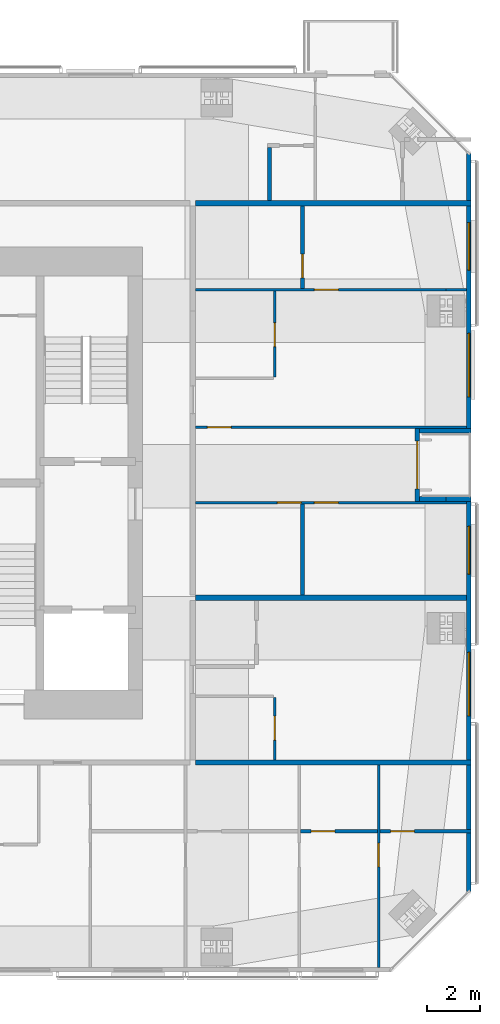
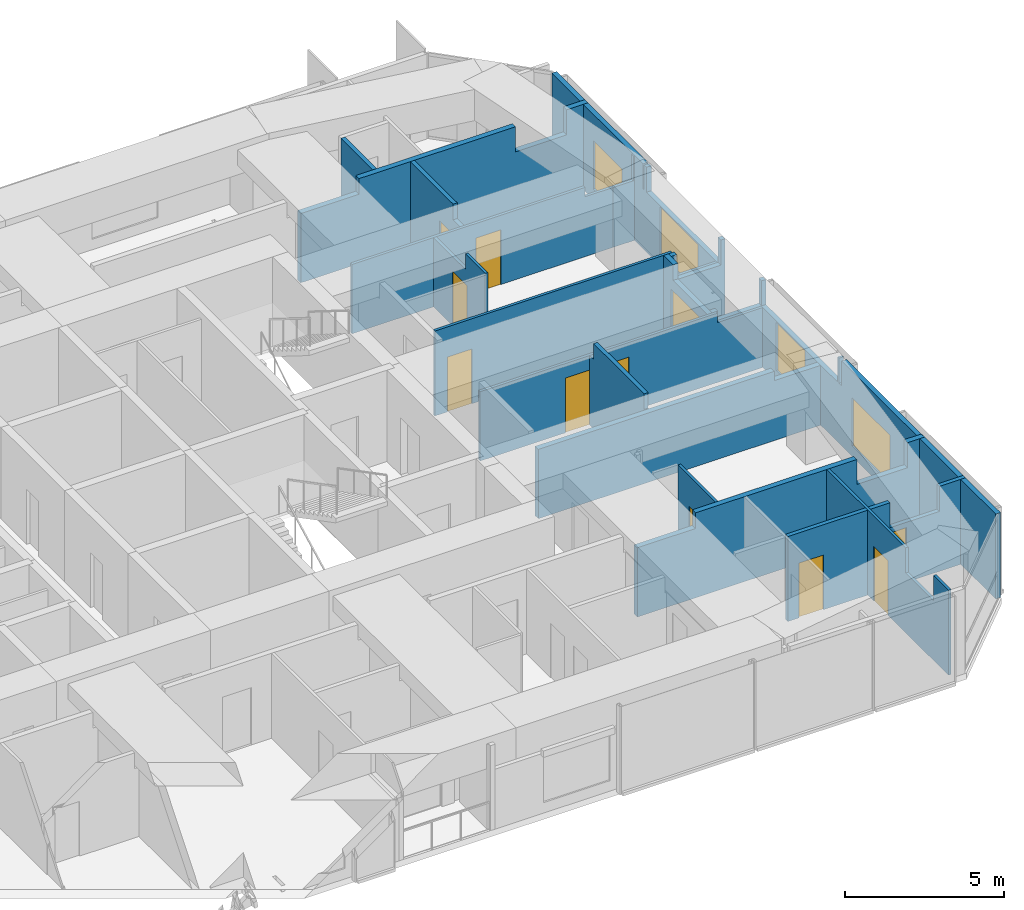
# One storey, part 18 of 20: 21 walls, 11 doors, 4 windows, 15 openings.
"""IFC4 building model written with IfcOpenShell, lengths in metres."""

from ifc_helpers import new_model, si_unit, direction, frame, frame_2d, origin, place, context, subcontext, project, spatial, polyline, rectangle, outline, extrude, material, constituent, constituent_set, type_object, element, fill, save


model = new_model("IFC4")

# Units and contexts
model_context = context("Model", 3, precision=1e-05, world=origin(), true_north=direction((0.0, 1.0)))
body_context = subcontext(model_context, "Body", "Model", "MODEL_VIEW")
ifc_project = project(units=[si_unit("LENGTHUNIT", "METRE"), si_unit("AREAUNIT", "SQUARE_METRE"), si_unit("VOLUMEUNIT", "CUBIC_METRE"), si_unit("PLANEANGLEUNIT", "RADIAN"), si_unit("MASSUNIT", "GRAM", prefix="KILO")], contexts=[model_context])

# Site, building, storey
site_placement = place(None, origin())
site = spatial("IfcSite", under=ifc_project, at=site_placement, CompositionType="ELEMENT")
building_placement = place(site_placement, origin())
building = spatial("IfcBuilding", under=site, at=building_placement, Name="Jalousie Tower", CompositionType="ELEMENT")
storey_placement = place(building_placement, frame((0.0, 0.0, 238.949951171875)))
storey = spatial("IfcBuildingStorey", under=building, at=storey_placement, Name="L65", CompositionType="ELEMENT", Elevation=238.949951171875)

# Wall, opening, door
ifc_material_1 = material(Name="Concrete block ASTM C90", Category="concrete")
ifc_constituent_1 = constituent(ifc_material_1, Name="Body")
ifc_material_2 = material(Name="Render")
ifc_constituent_2 = constituent(ifc_material_2, Name="Finish")
ifc_constituent_set_1 = constituent_set(constituents=[ifc_constituent_1, ifc_constituent_2])
wall_type_1 = type_object("IfcWallType", Name="BATHROOM WALL 150", PredefinedType="PLUMBINGWALL", material=ifc_constituent_set_1)
wall_1_placement = place(storey_placement, frame((50.050048828125, 5.324951171875, 0.0), z_axis=(0.0, 0.0, 1.0), x_axis=(1.0, 0.0, 0.0)))
wall_1 = element("IfcWall", 1, at=wall_1_placement, inside=storey, type_object=wall_type_1, Name="Bathroom Wall 150 L65", PredefinedType="PLUMBINGWALL", context=body_context, shape_type="SweptSolid", body=[
    extrude(rectangle(XDim=2.89990234375, YDim=0.14990234375, at=frame_2d((1.449951171875, 0.0))), origin(), (0.0, 0.0, 1.0), 3.260009765625),
])
opening_1_placement = place(wall_1_placement, frame((0.39990234375, 0.0, 0.0)))
opening_1 = element("IfcOpeningElement", 2, at=opening_1_placement, cuts=wall_1, Name="Opening D3", PredefinedType="OPENING", context=body_context, shape_type="SweptSolid", body=[
    extrude(rectangle(XDim=0.89990234375, YDim=2.10009765625, at=frame_2d((0.449951171875, 1.050048828125))), frame((0.0, 0.0849609375, 0.0), z_axis=(0.0, -1.0, 0.0), x_axis=(1.0, 0.0, 0.0)), (0.0, 0.0, 1.0), 0.169921875),
])
ifc_material_3 = material(Name="Timber door", Category="wood")
door_type_1 = type_object("IfcDoorType", Name="BATHROOM DOOR 900", OperationType="SINGLE_SWING_LEFT", PredefinedType="DOOR", material=ifc_material_3)
door_1_placement = place(opening_1_placement, origin())
door_1 = element("IfcDoor", 3, at=door_1_placement, inside=storey, type_object=door_type_1, Name="Apartment 6503 bedroom 3 bathroom door", OperationType="SINGLE_SWING_LEFT", OverallHeight=2.10009765625, OverallWidth=0.89990234375, PredefinedType="DOOR", context=body_context, shape_type="SweptSolid", body=[
    extrude(rectangle(XDim=0.89990234375, YDim=2.10009765625, at=frame_2d((0.449951171875, 1.050048828125))), frame((0.0, 0.02490234375, 0.0), z_axis=(0.0, -1.0, 0.0), x_axis=(1.0, 0.0, 0.0)), (0.0, 0.0, 1.0), 0.050048828125),
])
fill(opening_1, door_1)

wall_2_placement = place(storey_placement, frame((53.050048828125, 5.324951171875, 0.0), z_axis=(0.0, 0.0, 1.0), x_axis=(1.0, 0.0, 0.0)))
wall_2 = element("IfcWall", 4, at=wall_2_placement, inside=storey, type_object=wall_type_1, Name="Bathroom Wall 150 L65", PredefinedType="PLUMBINGWALL", context=body_context, shape_type="SweptSolid", body=[
    extrude(outline(polyline([(0.0, 0.0), (3.449951171875, 0.0), (3.449951171875, 3.260009765625), (2.4970703125, 3.260009765625), (2.4970703125, 2.300048828125), (0.715087890625, 2.300048828125), (0.715087890625, 3.260009765625), (0.0, 3.260009765625), (0.0, 0.0)])), frame((0.0, 0.074951171875, 0.0), z_axis=(0.0, -1.0, 0.0), x_axis=(1.0, 0.0, 0.0)), (0.0, 0.0, 1.0), 0.14990234375),
])
opening_2_placement = place(wall_2_placement, frame((0.39990234375, 0.0, 0.0)))
opening_2 = element("IfcOpeningElement", 5, at=opening_2_placement, cuts=wall_2, Name="Opening D3", PredefinedType="OPENING", context=body_context, shape_type="SweptSolid", body=[
    extrude(rectangle(XDim=0.89990234375, YDim=2.10009765625, at=frame_2d((0.449951171875, 1.050048828125))), frame((0.0, 0.0849609375, 0.0), z_axis=(0.0, -1.0, 0.0), x_axis=(1.0, 0.0, 0.0)), (0.0, 0.0, 1.0), 0.169921875),
])
door_2_placement = place(opening_2_placement, origin())
door_2 = element("IfcDoor", 6, at=door_2_placement, inside=storey, type_object=door_type_1, Name="Apartment 6503 bedroom 4 bathroom door", OperationType="SINGLE_SWING_LEFT", OverallHeight=2.10009765625, OverallWidth=0.89990234375, PredefinedType="DOOR", context=body_context, shape_type="SweptSolid", body=[
    extrude(rectangle(XDim=0.89990234375, YDim=2.10009765625, at=frame_2d((0.449951171875, 1.050048828125))), frame((0.0, 0.02490234375, 0.0), z_axis=(0.0, -1.0, 0.0), x_axis=(1.0, 0.0, 0.0)), (0.0, 0.0, 1.0), 0.050048828125),
])
fill(opening_2, door_2)

# Wall
wall_3_placement = place(storey_placement, frame((50.125, 14.25, 0.0), z_axis=(0.0, 0.0, 1.0), x_axis=(0.0, 1.0, 0.0)))
element("IfcWall", 7, at=wall_3_placement, inside=storey, type_object=wall_type_1, Name="Bathroom Wall 150 L65", PredefinedType="PLUMBINGWALL", context=body_context, shape_type="SweptSolid", body=[
    extrude(outline(polyline([(0.0, 0.0), (3.449951171875, 0.0), (3.449951171875, 3.260009765625), (3.449951171875, 2.66015625), (3.215087890625, 2.66015625), (3.215087890625, 3.260009765625), (0.034912109375, 3.260009765625), (0.034912109375, 2.66015625), (0.0, 2.66015625), (0.0, 3.260009765625), (0.0, 0.0)])), frame((0.0, 0.074951171875, 0.0), z_axis=(0.0, -1.0, 0.0), x_axis=(1.0, 0.0, 0.0)), (0.0, 0.0, 1.0), 0.14990234375),
])

# Wall, opening, door
wall_4_placement = place(storey_placement, frame((50.125, 25.85009765625, 0.0), z_axis=(0.0, 0.0, 1.0), x_axis=(0.0, 1.0, 0.0)))
wall_4 = element("IfcWall", 8, at=wall_4_placement, inside=storey, type_object=wall_type_1, Name="Bathroom Wall 150 L65", PredefinedType="PLUMBINGWALL", context=body_context, shape_type="SweptSolid", body=[
    extrude(outline(polyline([(0.0, 0.0), (3.125, 0.0), (3.125, 3.260009765625), (0.43505859375, 3.260009765625), (0.43505859375, 2.66015625), (0.0, 2.66015625), (0.0, 3.260009765625), (0.0, 0.0)])), frame((0.0, 0.074951171875, 0.0), z_axis=(0.0, -1.0, 0.0), x_axis=(1.0, 0.0, 0.0)), (0.0, 0.0, 1.0), 0.14990234375),
])
opening_3_placement = place(wall_4_placement, frame((0.39990234375, 0.0, 0.0)))
opening_3 = element("IfcOpeningElement", 9, at=opening_3_placement, cuts=wall_4, Name="Opening D3", PredefinedType="OPENING", context=body_context, shape_type="SweptSolid", body=[
    extrude(rectangle(XDim=0.89990234375, YDim=2.10009765625, at=frame_2d((0.449951171875, 1.050048828125))), frame((0.0, 0.0849609375, 0.0), z_axis=(0.0, -1.0, 0.0), x_axis=(1.0, 0.0, 0.0)), (0.0, 0.0, 1.0), 0.169921875),
])
door_3_placement = place(opening_3_placement, origin())
door_3 = element("IfcDoor", 10, at=door_3_placement, inside=storey, type_object=door_type_1, Name="Apartment 6506 bedroom 2 bathroom door", OperationType="SINGLE_SWING_LEFT", OverallHeight=2.10009765625, OverallWidth=0.89990234375, PredefinedType="DOOR", context=body_context, shape_type="SweptSolid", body=[
    extrude(rectangle(XDim=0.89990234375, YDim=2.10009765625, at=frame_2d((0.449951171875, 1.050048828125))), frame((0.0, 0.02490234375, 0.0), z_axis=(0.0, -1.0, 0.0), x_axis=(1.0, 0.0, 0.0)), (0.0, 0.0, 1.0), 0.050048828125),
])
fill(opening_3, door_3)

# Wall
wall_5_placement = place(storey_placement, frame((48.87744140625, 29.175048828125, 0.0), z_axis=(0.0, 0.0, 1.0), x_axis=(0.0, 1.0, 0.0)))
element("IfcWall", 11, at=wall_5_placement, inside=storey, type_object=wall_type_1, Name="Bathroom Wall 150 L65", PredefinedType="PLUMBINGWALL", context=body_context, shape_type="SweptSolid", body=[
    extrude(rectangle(XDim=2.0, YDim=0.14990234375, at=frame_2d((1.0, 0.0))), origin(), (0.0, 0.0, 1.0), 3.260009765625),
])

# Wall, openings, windows
ifc_material_4 = material(Name="Concrete f'c 40 MPa", Category="concrete")
ifc_constituent_3 = constituent(ifc_material_4, Name="Body")
ifc_material_5 = material(Name="Render, pastel sky blue")
ifc_constituent_4 = constituent(ifc_material_5, Name="Finish")
ifc_constituent_set_2 = constituent_set(constituents=[ifc_constituent_3, ifc_constituent_4])
wall_type_2 = type_object("IfcWallType", Name="EXTERNAL WALL 175 SKY BLUE RENDER", PredefinedType="SOLIDWALL", material=ifc_constituent_set_2)
wall_6_placement = place(storey_placement, frame((56.41259765625, 3.05126953125, 0.0), z_axis=(0.0, 0.0, 1.0), x_axis=(0.0, 1.0, 0.0)))
wall_6 = element("IfcWall", 12, at=wall_6_placement, inside=storey, type_object=wall_type_2, Name="External Wall 175 Sky Blue Render L65", PredefinedType="SOLIDWALL", context=body_context, shape_type="SweptSolid", body=[
    extrude(outline(polyline([(0.0, 0.0), (14.748779296875, 0.0), (14.748779296875, 2.300048828125), (9.94873046875, 2.300048828125), (9.94873046875, 3.260009765625), (9.8583984375, 3.260009765625), (9.8583984375, 2.300048828125), (9.6875, 2.300048828125), (9.6875, 3.260009765625), (0.0, 3.260009765625), (0.0, 0.0)])), frame((0.0, 0.08740234375, 0.0), z_axis=(0.0, -1.0, 0.0), x_axis=(1.0, 0.0, 0.0)), (0.0, 0.0, 1.0), 0.175048828125),
])
opening_4_placement = place(wall_6_placement, frame((6.639892578125, 0.0, 0.39990234375)))
opening_4 = element("IfcOpeningElement", 13, at=opening_4_placement, cuts=wall_6, Name="Opening W-LIV185", PredefinedType="OPENING", context=body_context, shape_type="SweptSolid", body=[
    extrude(rectangle(XDim=2.39990234375, YDim=1.85009765625, at=frame_2d((1.199951171875, 0.925048828125))), frame((0.0, 0.097412109375, 0.0), z_axis=(0.0, -1.0, 0.0), x_axis=(1.0, 0.0, 0.0)), (0.0, 0.0, 1.0), 0.195068359375),
])
opening_5_placement = place(wall_6_placement, frame((11.998779296875, 0.0, 0.39990234375)))
opening_5 = element("IfcOpeningElement", 14, at=opening_5_placement, cuts=wall_6, Name="Opening W-BED185", PredefinedType="OPENING", context=body_context, shape_type="SweptSolid", body=[
    extrude(rectangle(XDim=1.800048828125, YDim=1.85009765625, at=frame_2d((0.89990234375, 0.925048828125))), frame((0.0, 0.097412109375, 0.0), z_axis=(0.0, -1.0, 0.0), x_axis=(1.0, 0.0, 0.0)), (0.0, 0.0, 1.0), 0.195068359375),
])
ifc_material_6 = material(Name="Aluminium frame, impact-rated glazing", Category="aluminium")
window_type_1 = type_object("IfcWindowType", Name="WINDOW BED 1800x1850", PartitioningType="SINGLE_PANEL", PredefinedType="WINDOW", material=ifc_material_6)
window_1_placement = place(opening_5_placement, origin())
window_1 = element("IfcWindow", 15, at=window_1_placement, inside=storey, type_object=window_type_1, Name="Apartment 6506 bedroom 1 window", OverallHeight=1.85009765625, OverallWidth=1.800048828125, PartitioningType="SINGLE_PANEL", PredefinedType="WINDOW", context=body_context, shape_type="SweptSolid", body=[
    extrude(rectangle(XDim=1.800048828125, YDim=1.85009765625, at=frame_2d((0.89990234375, 0.925048828125))), frame((0.0, 0.030029296875, 0.0), z_axis=(0.0, -1.0, 0.0), x_axis=(1.0, 0.0, 0.0)), (0.0, 0.0, 1.0), 0.06005859375),
])
fill(opening_5, window_1)
ifc_material_7 = material(Name="Aluminium frame, impact-rated glazing", Category="aluminium")
window_type_2 = type_object("IfcWindowType", Name="WINDOW LIV 2400x1850", PartitioningType="DOUBLE_PANEL_VERTICAL", PredefinedType="WINDOW", material=ifc_material_7)
window_2_placement = place(opening_4_placement, origin())
window_2 = element("IfcWindow", 16, at=window_2_placement, inside=storey, type_object=window_type_2, Name="Apartment 6505 studio living and sleeping room window", OverallHeight=1.85009765625, OverallWidth=2.39990234375, PartitioningType="SINGLE_PANEL", PredefinedType="WINDOW", context=body_context, shape_type="SweptSolid", body=[
    extrude(rectangle(XDim=2.39990234375, YDim=1.85009765625, at=frame_2d((1.199951171875, 0.925048828125))), frame((0.0, 0.030029296875, 0.0), z_axis=(0.0, -1.0, 0.0), x_axis=(1.0, 0.0, 0.0)), (0.0, 0.0, 1.0), 0.06005859375),
])
fill(opening_4, window_2)

wall_7_placement = place(storey_placement, frame((56.41259765625, 20.550048828125, 0.0), z_axis=(0.0, 0.0, 1.0), x_axis=(0.0, 1.0, 0.0)))
wall_7 = element("IfcWall", 17, at=wall_7_placement, inside=storey, type_object=wall_type_2, Name="External Wall 175 Sky Blue Render L65", PredefinedType="SOLIDWALL", context=body_context, shape_type="SweptSolid", body=[
    extrude(outline(polyline([(0.0, 0.0), (10.398681640625, 0.0), (10.398681640625, 3.260009765625), (4.658447265625, 3.260009765625), (4.658447265625, 2.300048828125), (4.593505859375, 2.300048828125), (4.593505859375, 3.260009765625), (4.449951171875, 3.260009765625), (4.449951171875, 2.300048828125), (0.0, 2.300048828125), (0.0, 0.0)])), frame((0.0, 0.08740234375, 0.0), z_axis=(0.0, -1.0, 0.0), x_axis=(1.0, 0.0, 0.0)), (0.0, 0.0, 1.0), 0.175048828125),
])
opening_6_placement = place(wall_7_placement, frame((1.199951171875, 0.0, 0.39990234375)))
opening_6 = element("IfcOpeningElement", 18, at=opening_6_placement, cuts=wall_7, Name="Opening W-LIV185", PredefinedType="OPENING", context=body_context, shape_type="SweptSolid", body=[
    extrude(rectangle(XDim=2.39990234375, YDim=1.85009765625, at=frame_2d((1.199951171875, 0.925048828125))), frame((0.0, 0.097412109375, 0.0), z_axis=(0.0, -1.0, 0.0), x_axis=(1.0, 0.0, 0.0)), (0.0, 0.0, 1.0), 0.195068359375),
])
opening_7_placement = place(wall_7_placement, frame((5.987548828125, 0.0, 0.39990234375)))
opening_7 = element("IfcOpeningElement", 19, at=opening_7_placement, cuts=wall_7, Name="Opening W-BED185", PredefinedType="OPENING", context=body_context, shape_type="SweptSolid", body=[
    extrude(rectangle(XDim=1.800048828125, YDim=1.85009765625, at=frame_2d((0.89990234375, 0.925048828125))), frame((0.0, 0.097412109375, 0.0), z_axis=(0.0, -1.0, 0.0), x_axis=(1.0, 0.0, 0.0)), (0.0, 0.0, 1.0), 0.195068359375),
])
window_3_placement = place(opening_7_placement, origin())
window_3 = element("IfcWindow", 20, at=window_3_placement, inside=storey, type_object=window_type_1, Name="Apartment 6506 bedroom 2 window", OverallHeight=1.85009765625, OverallWidth=1.800048828125, PartitioningType="SINGLE_PANEL", PredefinedType="WINDOW", context=body_context, shape_type="SweptSolid", body=[
    extrude(rectangle(XDim=1.800048828125, YDim=1.85009765625, at=frame_2d((0.89990234375, 0.925048828125))), frame((0.0, 0.030029296875, 0.0), z_axis=(0.0, -1.0, 0.0), x_axis=(1.0, 0.0, 0.0)), (0.0, 0.0, 1.0), 0.06005859375),
])
fill(opening_7, window_3)
window_4_placement = place(opening_6_placement, origin())
window_4 = element("IfcWindow", 21, at=window_4_placement, inside=storey, type_object=window_type_2, Name="Apartment 6506 living and dining room window", OverallHeight=1.85009765625, OverallWidth=2.39990234375, PartitioningType="SINGLE_PANEL", PredefinedType="WINDOW", context=body_context, shape_type="SweptSolid", body=[
    extrude(rectangle(XDim=2.39990234375, YDim=1.85009765625, at=frame_2d((1.199951171875, 0.925048828125))), frame((0.0, 0.030029296875, 0.0), z_axis=(0.0, -1.0, 0.0), x_axis=(1.0, 0.0, 0.0)), (0.0, 0.0, 1.0), 0.06005859375),
])
fill(opening_6, window_4)

# Wall, opening, door
wall_8_placement = place(storey_placement, frame((54.46240234375, 17.800048828125, 0.0), z_axis=(0.0, 0.0, 1.0), x_axis=(0.0, 1.0, 0.0)))
wall_8 = element("IfcWall", 22, at=wall_8_placement, inside=storey, type_object=wall_type_2, Name="External Wall 175 Sky Blue Render L65", PredefinedType="SOLIDWALL", context=body_context, shape_type="SweptSolid", body=[
    extrude(outline(polyline([(0.0, 0.0), (2.75, 0.0), (2.75, 3.260009765625), (2.14990234375, 3.260009765625), (2.14990234375, 2.66015625), (0.0, 2.66015625), (0.0, 0.0)])), frame((0.0, 0.08740234375, 0.0), z_axis=(0.0, -1.0, 0.0), x_axis=(1.0, 0.0, 0.0)), (0.0, 0.0, 1.0), 0.175048828125),
])
opening_8_placement = place(wall_8_placement, frame((0.47509765625, 0.0, 0.0)))
opening_8 = element("IfcOpeningElement", 23, at=opening_8_placement, cuts=wall_8, Name="Opening D-BAL22", PredefinedType="OPENING", context=body_context, shape_type="SweptSolid", body=[
    extrude(rectangle(XDim=1.800048828125, YDim=2.25, at=frame_2d((0.89990234375, 1.125))), frame((0.0, 0.097412109375, 0.0), z_axis=(0.0, -1.0, 0.0), x_axis=(1.0, 0.0, 0.0)), (0.0, 0.0, 1.0), 0.195068359375),
])
ifc_material_8 = material(Name="Aluminium frame, impact-rated glazing", Category="aluminium")
door_type_2 = type_object("IfcDoorType", Name="BALCONY DOOR 1800x2250", OperationType="SLIDING_TO_LEFT", PredefinedType="DOOR", material=ifc_material_8)
door_4_placement = place(opening_8_placement, origin())
door_4 = element("IfcDoor", 24, at=door_4_placement, inside=storey, type_object=door_type_2, Name="Apartment 6506 study loggia door", OperationType="SLIDING_TO_LEFT", OverallHeight=2.25, OverallWidth=1.800048828125, PredefinedType="DOOR", context=body_context, shape_type="SweptSolid", body=[
    extrude(rectangle(XDim=1.800048828125, YDim=2.25, at=frame_2d((0.89990234375, 1.125))), frame((0.0, 0.02490234375, 0.0), z_axis=(0.0, -1.0, 0.0), x_axis=(1.0, 0.0, 0.0)), (0.0, 0.0, 1.0), 0.050048828125),
])
fill(opening_8, door_4)

# Walls
wall_9_placement = place(storey_placement, frame((56.5, 17.887451171875, 0.0), z_axis=(0.0, 0.0, 1.0), x_axis=(-1.0, 0.0, 0.0)))
element("IfcWall", 25, at=wall_9_placement, inside=storey, type_object=wall_type_2, Name="External Wall 175 Sky Blue Render L65-A", PredefinedType="SOLIDWALL", context=body_context, shape_type="SweptSolid", body=[
    extrude(outline(polyline([(0.0, 0.0), (0.949951171875, 0.0), (0.949951171875, 2.300048828125), (0.14990234375, 2.300048828125), (0.14990234375, 3.260009765625), (0.0, 3.260009765625), (0.0, 0.0)])), frame((0.0, 0.08740234375, 0.0), z_axis=(0.0, -1.0, 0.0), x_axis=(1.0, 0.0, 0.0)), (0.0, 0.0, 1.0), 0.175048828125),
])
wall_10_placement = place(storey_placement, frame((55.550048828125, 17.887451171875, 0.0), z_axis=(0.0, 0.0, 1.0), x_axis=(-1.0, 0.0, 0.0)))
element("IfcWall", 26, at=wall_10_placement, inside=storey, type_object=wall_type_2, Name="External Wall 175 Sky Blue Render L65-B", PredefinedType="SOLIDWALL", context=body_context, shape_type="SweptSolid", body=[
    extrude(outline(polyline([(0.0, 0.0), (1.0, 0.0), (1.0, 2.66015625), (0.800048828125, 2.66015625), (0.800048828125, 2.300048828125), (0.0, 2.300048828125), (0.0, 0.0)])), frame((0.0, 0.08740234375, 0.0), z_axis=(0.0, -1.0, 0.0), x_axis=(1.0, 0.0, 0.0)), (0.0, 0.0, 1.0), 0.175048828125),
])
wall_11_placement = place(storey_placement, frame((56.5, 20.46240234375, 0.0), z_axis=(0.0, 0.0, 1.0), x_axis=(-1.0, 0.0, 0.0)))
element("IfcWall", 27, at=wall_11_placement, inside=storey, type_object=wall_type_2, Name="External Wall 175 Sky Blue Render L65", PredefinedType="SOLIDWALL", context=body_context, shape_type="SweptSolid", body=[
    extrude(outline(polyline([(0.0, 0.0), (1.949951171875, 0.0), (1.949951171875, 3.260009765625), (1.75, 3.260009765625), (1.75, 2.300048828125), (0.14990234375, 2.300048828125), (0.14990234375, 3.260009765625), (0.0, 3.260009765625), (0.0, 0.0)])), frame((0.0, 0.08740234375, 0.0), z_axis=(0.0, -1.0, 0.0), x_axis=(1.0, 0.0, 0.0)), (0.0, 0.0, 1.0), 0.175048828125),
])

# Wall, opening, door
ifc_material_9 = material(Name="Gypsum board", Category="gypsum")
ifc_constituent_5 = constituent(ifc_material_9, Name="Body")
ifc_material_10 = material(Name="Light-gauge steel studs ASTM A653 SS Grade 33", Category="steel")
ifc_constituent_6 = constituent(ifc_material_10, Name="Framing")
ifc_constituent_set_3 = constituent_set(constituents=[ifc_constituent_5, ifc_constituent_6])
wall_type_3 = type_object("IfcWallType", Name="PARTITION 100", PredefinedType="PARTITIONING", material=ifc_constituent_set_3)
wall_12_placement = place(storey_placement, frame((53.0, 0.175048828125, 0.0), z_axis=(0.0, 0.0, 1.0), x_axis=(0.0, 1.0, 0.0)))
wall_12 = element("IfcWall", 28, at=wall_12_placement, inside=storey, type_object=wall_type_3, Name="Partition 100 L65", PredefinedType="PARTITIONING", context=body_context, shape_type="SweptSolid", body=[
    extrude(outline(polyline([(0.0, 0.0), (7.64990234375, 0.0), (7.64990234375, 3.260009765625), (2.685302734375, 3.260009765625), (2.685302734375, 2.300048828125), (0.940673828125, 2.300048828125), (0.940673828125, 3.260009765625), (0.0, 3.260009765625), (0.0, 0.0)])), frame((0.0, 0.050048828125, 0.0), z_axis=(0.0, -1.0, 0.0), x_axis=(1.0, 0.0, 0.0)), (0.0, 0.0, 1.0), 0.10009765625),
])
opening_9_placement = place(wall_12_placement, frame((3.800048828125, 0.0, 0.0)))
opening_9 = element("IfcOpeningElement", 29, at=opening_9_placement, cuts=wall_12, Name="Opening D2", PredefinedType="OPENING", context=body_context, shape_type="SweptSolid", body=[
    extrude(rectangle(XDim=0.89990234375, YDim=2.10009765625, at=frame_2d((0.449951171875, 1.050048828125))), frame((0.0, 0.06005859375, 0.0), z_axis=(0.0, -1.0, 0.0), x_axis=(1.0, 0.0, 0.0)), (0.0, 0.0, 1.0), 0.1201171875),
])
ifc_material_11 = material(Name="Timber door", Category="wood")
door_type_3 = type_object("IfcDoorType", Name="BEDROOM DOOR 900", OperationType="SINGLE_SWING_LEFT", PredefinedType="DOOR", material=ifc_material_11)
door_5_placement = place(opening_9_placement, frame((0.89990234375, 0.0, 0.0), z_axis=(0.0, 0.0, 1.0), x_axis=(-1.0, 0.0, 0.0)))
door_5 = element("IfcDoor", 30, at=door_5_placement, inside=storey, type_object=door_type_3, Name="Apartment 6503 bedroom 4 door", OperationType="SINGLE_SWING_LEFT", OverallHeight=2.10009765625, OverallWidth=0.89990234375, PredefinedType="DOOR", context=body_context, shape_type="SweptSolid", body=[
    extrude(rectangle(XDim=0.89990234375, YDim=2.10009765625, at=frame_2d((0.449951171875, 1.050048828125))), frame((0.0, 0.02490234375, 0.0), z_axis=(0.0, -1.0, 0.0), x_axis=(1.0, 0.0, 0.0)), (0.0, 0.0, 1.0), 0.050048828125),
])
fill(opening_9, door_5)

wall_13_placement = place(storey_placement, frame((49.074951171875, 8.02490234375, 0.0), z_axis=(0.0, 0.0, 1.0), x_axis=(0.0, 1.0, 0.0)))
wall_13 = element("IfcWall", 31, at=wall_13_placement, inside=storey, type_object=wall_type_3, Name="Partition 100 L65", PredefinedType="PARTITIONING", context=body_context, shape_type="SweptSolid", body=[
    extrude(rectangle(XDim=2.35009765625, YDim=0.10009765625, at=frame_2d((1.175048828125, 0.0))), origin(), (0.0, 0.0, 1.0), 3.260009765625),
])
opening_10_placement = place(wall_13_placement, frame((0.75, 0.0, 0.0)))
opening_10 = element("IfcOpeningElement", 32, at=opening_10_placement, cuts=wall_13, Name="Opening D7", PredefinedType="OPENING", context=body_context, shape_type="SweptSolid", body=[
    extrude(rectangle(XDim=0.89990234375, YDim=2.10009765625, at=frame_2d((0.449951171875, 1.050048828125))), frame((0.0, 0.06005859375, 0.0), z_axis=(0.0, -1.0, 0.0), x_axis=(1.0, 0.0, 0.0)), (0.0, 0.0, 1.0), 0.1201171875),
])
ifc_material_12 = material(Name="Timber door", Category="wood")
door_type_4 = type_object("IfcDoorType", Name="INTERNAL DOOR 900", OperationType="SINGLE_SWING_LEFT", PredefinedType="DOOR", material=ifc_material_12)
door_6_placement = place(opening_10_placement, origin())
door_6 = element("IfcDoor", 33, at=door_6_placement, inside=storey, type_object=door_type_4, Name="Apartment 6505 kitchen door", OperationType="SINGLE_SWING_RIGHT", OverallHeight=2.10009765625, OverallWidth=0.89990234375, PredefinedType="DOOR", context=body_context, shape_type="SweptSolid", body=[
    extrude(rectangle(XDim=0.89990234375, YDim=2.10009765625, at=frame_2d((0.449951171875, 1.050048828125))), frame((0.0, 0.02490234375, 0.0), z_axis=(0.0, -1.0, 0.0), x_axis=(1.0, 0.0, 0.0)), (0.0, 0.0, 1.0), 0.050048828125),
])
fill(opening_10, door_6)

# Wall, openings, doors
wall_14_placement = place(storey_placement, frame((56.324951171875, 17.75, 0.0), z_axis=(0.0, 0.0, 1.0), x_axis=(-1.0, 0.0, 0.0)))
wall_14 = element("IfcWall", 34, at=wall_14_placement, inside=storey, type_object=wall_type_3, Name="Partition 100 L65", PredefinedType="PARTITIONING", context=body_context, shape_type="SweptSolid", body=[
    extrude(outline(polyline([(0.0, 0.0), (10.25, 0.0), (10.25, 3.260009765625), (10.25, 2.66015625), (1.635009765625, 2.66015625), (1.635009765625, 2.300048828125), (0.0, 2.300048828125), (0.0, 3.260009765625), (0.0, 0.0)])), frame((0.0, 0.050048828125, 0.0), z_axis=(0.0, -1.0, 0.0), x_axis=(1.0, 0.0, 0.0)), (0.0, 0.0, 1.0), 0.10009765625),
])
opening_11_placement = place(wall_14_placement, frame((4.85009765625, 0.0, 0.0)))
opening_11 = element("IfcOpeningElement", 35, at=opening_11_placement, cuts=wall_14, Name="Opening D2", PredefinedType="OPENING", context=body_context, shape_type="SweptSolid", body=[
    extrude(rectangle(XDim=0.89990234375, YDim=2.10009765625, at=frame_2d((0.449951171875, 1.050048828125))), frame((0.0, 0.06005859375, 0.0), z_axis=(0.0, -1.0, 0.0), x_axis=(1.0, 0.0, 0.0)), (0.0, 0.0, 1.0), 0.1201171875),
])
opening_12_placement = place(wall_14_placement, frame((6.25, 0.0, 0.0)))
opening_12 = element("IfcOpeningElement", 36, at=opening_12_placement, cuts=wall_14, Name="Opening D7", PredefinedType="OPENING", context=body_context, shape_type="SweptSolid", body=[
    extrude(rectangle(XDim=0.89990234375, YDim=2.10009765625, at=frame_2d((0.449951171875, 1.050048828125))), frame((0.0, 0.06005859375, 0.0), z_axis=(0.0, -1.0, 0.0), x_axis=(1.0, 0.0, 0.0)), (0.0, 0.0, 1.0), 0.1201171875),
])
door_7_placement = place(opening_11_placement, origin())
door_7 = element("IfcDoor", 37, at=door_7_placement, inside=storey, type_object=door_type_3, Name="Apartment 6506 bedroom 1 door", OperationType="SINGLE_SWING_RIGHT", OverallHeight=2.10009765625, OverallWidth=0.89990234375, PredefinedType="DOOR", context=body_context, shape_type="SweptSolid", body=[
    extrude(rectangle(XDim=0.89990234375, YDim=2.10009765625, at=frame_2d((0.449951171875, 1.050048828125))), frame((0.0, 0.02490234375, 0.0), z_axis=(0.0, -1.0, 0.0), x_axis=(1.0, 0.0, 0.0)), (0.0, 0.0, 1.0), 0.050048828125),
])
fill(opening_11, door_7)
door_8_placement = place(opening_12_placement, origin())
door_8 = element("IfcDoor", 38, at=door_8_placement, inside=storey, type_object=door_type_4, Name="Apartment 6506 bathroom door", OperationType="SINGLE_SWING_LEFT", OverallHeight=2.10009765625, OverallWidth=0.89990234375, PredefinedType="DOOR", context=body_context, shape_type="SweptSolid", body=[
    extrude(rectangle(XDim=0.89990234375, YDim=2.10009765625, at=frame_2d((0.449951171875, 1.050048828125))), frame((0.0, 0.02490234375, 0.0), z_axis=(0.0, -1.0, 0.0), x_axis=(1.0, 0.0, 0.0)), (0.0, 0.0, 1.0), 0.050048828125),
])
fill(opening_12, door_8)

# Wall
wall_15_placement = place(storey_placement, frame((56.324951171875, 25.800048828125, 0.0), z_axis=(0.0, 0.0, 1.0), x_axis=(-1.0, 0.0, 0.0)))
element("IfcWall", 39, at=wall_15_placement, inside=storey, type_object=wall_type_3, Name="Partition 100 L65-A", PredefinedType="PARTITIONING", context=body_context, shape_type="SweptSolid", body=[
    extrude(outline(polyline([(0.0, 0.0), (0.77490234375, 0.0), (0.77490234375, 2.300048828125), (0.04833984375, 2.300048828125), (0.04833984375, 3.260009765625), (0.0, 3.260009765625), (0.0, 0.0)])), frame((0.0, 0.050048828125, 0.0), z_axis=(0.0, -1.0, 0.0), x_axis=(1.0, 0.0, 0.0)), (0.0, 0.0, 1.0), 0.10009765625),
])

# Wall, opening, door
wall_16_placement = place(storey_placement, frame((55.550048828125, 25.800048828125, 0.0), z_axis=(0.0, 0.0, 1.0), x_axis=(-1.0, 0.0, 0.0)))
wall_16 = element("IfcWall", 40, at=wall_16_placement, inside=storey, type_object=wall_type_3, Name="Partition 100 L65-B", PredefinedType="PARTITIONING", context=body_context, shape_type="SweptSolid", body=[
    extrude(outline(polyline([(0.0, 0.0), (9.47509765625, 0.0), (9.47509765625, 2.66015625), (1.022705078125, 2.66015625), (1.022705078125, 2.300048828125), (0.0, 2.300048828125), (0.0, 0.0)])), frame((0.0, 0.050048828125, 0.0), z_axis=(0.0, -1.0, 0.0), x_axis=(1.0, 0.0, 0.0)), (0.0, 0.0, 1.0), 0.10009765625),
])
opening_13_placement = place(wall_16_placement, frame((4.074951171875, 0.0, 0.0)))
opening_13 = element("IfcOpeningElement", 41, at=opening_13_placement, cuts=wall_16, Name="Opening D2", PredefinedType="OPENING", context=body_context, shape_type="SweptSolid", body=[
    extrude(rectangle(XDim=0.89990234375, YDim=2.10009765625, at=frame_2d((0.449951171875, 1.050048828125))), frame((0.0, 0.06005859375, 0.0), z_axis=(0.0, -1.0, 0.0), x_axis=(1.0, 0.0, 0.0)), (0.0, 0.0, 1.0), 0.1201171875),
])
door_9_placement = place(opening_13_placement, frame((0.89990234375, 0.0, 0.0), z_axis=(0.0, 0.0, 1.0), x_axis=(-1.0, 0.0, 0.0)))
door_9 = element("IfcDoor", 42, at=door_9_placement, inside=storey, type_object=door_type_3, Name="Apartment 6506 bedroom 2 door", OperationType="SINGLE_SWING_LEFT", OverallHeight=2.10009765625, OverallWidth=0.89990234375, PredefinedType="DOOR", context=body_context, shape_type="SweptSolid", body=[
    extrude(rectangle(XDim=0.89990234375, YDim=2.10009765625, at=frame_2d((0.449951171875, 1.050048828125))), frame((0.0, 0.02490234375, 0.0), z_axis=(0.0, -1.0, 0.0), x_axis=(1.0, 0.0, 0.0)), (0.0, 0.0, 1.0), 0.050048828125),
])
fill(opening_13, door_9)

wall_17_placement = place(storey_placement, frame((56.324951171875, 20.60009765625, 0.0), z_axis=(0.0, 0.0, 1.0), x_axis=(-1.0, 0.0, 0.0)))
wall_17 = element("IfcWall", 43, at=wall_17_placement, inside=storey, type_object=wall_type_3, Name="Partition 100 L65", PredefinedType="PARTITIONING", context=body_context, shape_type="SweptSolid", body=[
    extrude(outline(polyline([(0.0, 0.0), (10.25, 0.0), (10.25, 3.260009765625), (1.635009765625, 3.260009765625), (1.635009765625, 2.300048828125), (0.0, 2.300048828125), (0.0, 3.260009765625), (0.0, 0.0)])), frame((0.0, 0.050048828125, 0.0), z_axis=(0.0, -1.0, 0.0), x_axis=(1.0, 0.0, 0.0)), (0.0, 0.0, 1.0), 0.10009765625),
])
opening_14_placement = place(wall_17_placement, frame((8.89990234375, 0.0, 0.0)))
opening_14 = element("IfcOpeningElement", 44, at=opening_14_placement, cuts=wall_17, Name="Opening D2", PredefinedType="OPENING", context=body_context, shape_type="SweptSolid", body=[
    extrude(rectangle(XDim=0.89990234375, YDim=2.10009765625, at=frame_2d((0.449951171875, 1.050048828125))), frame((0.0, 0.06005859375, 0.0), z_axis=(0.0, -1.0, 0.0), x_axis=(1.0, 0.0, 0.0)), (0.0, 0.0, 1.0), 0.1201171875),
])
door_10_placement = place(opening_14_placement, origin())
door_10 = element("IfcDoor", 45, at=door_10_placement, inside=storey, type_object=door_type_3, Name="Apartment 6506 study door", OperationType="SINGLE_SWING_RIGHT", OverallHeight=2.10009765625, OverallWidth=0.89990234375, PredefinedType="DOOR", context=body_context, shape_type="SweptSolid", body=[
    extrude(rectangle(XDim=0.89990234375, YDim=2.10009765625, at=frame_2d((0.449951171875, 1.050048828125))), frame((0.0, 0.02490234375, 0.0), z_axis=(0.0, -1.0, 0.0), x_axis=(1.0, 0.0, 0.0)), (0.0, 0.0, 1.0), 0.050048828125),
])
fill(opening_14, door_10)

wall_18_placement = place(storey_placement, frame((49.074951171875, 22.5, 0.0), z_axis=(0.0, 0.0, 1.0), x_axis=(0.0, 1.0, 0.0)))
wall_18 = element("IfcWall", 46, at=wall_18_placement, inside=storey, type_object=wall_type_3, Name="Partition 100 L65", PredefinedType="PARTITIONING", context=body_context, shape_type="SweptSolid", body=[
    extrude(outline(polyline([(0.0, 0.0), (3.25, 0.0), (3.25, 3.260009765625), (3.25, 2.66015625), (1.239990234375, 2.66015625), (1.239990234375, 3.260009765625), (0.0, 3.260009765625), (0.0, 0.0)])), frame((0.0, 0.050048828125, 0.0), z_axis=(0.0, -1.0, 0.0), x_axis=(1.0, 0.0, 0.0)), (0.0, 0.0, 1.0), 0.10009765625),
])
opening_15_placement = place(wall_18_placement, frame((1.14990234375, 0.0, 0.0)))
opening_15 = element("IfcOpeningElement", 47, at=opening_15_placement, cuts=wall_18, Name="Opening D7", PredefinedType="OPENING", context=body_context, shape_type="SweptSolid", body=[
    extrude(rectangle(XDim=0.89990234375, YDim=2.10009765625, at=frame_2d((0.449951171875, 1.050048828125))), frame((0.0, 0.06005859375, 0.0), z_axis=(0.0, -1.0, 0.0), x_axis=(1.0, 0.0, 0.0)), (0.0, 0.0, 1.0), 0.1201171875),
])
door_11_placement = place(opening_15_placement, frame((0.89990234375, 0.0, 0.0), z_axis=(0.0, 0.0, 1.0), x_axis=(-1.0, 0.0, 0.0)))
door_11 = element("IfcDoor", 48, at=door_11_placement, inside=storey, type_object=door_type_4, Name="Apartment 6506 kitchen door", OperationType="SINGLE_SWING_LEFT", OverallHeight=2.10009765625, OverallWidth=0.89990234375, PredefinedType="DOOR", context=body_context, shape_type="SweptSolid", body=[
    extrude(rectangle(XDim=0.89990234375, YDim=2.10009765625, at=frame_2d((0.449951171875, 1.050048828125))), frame((0.0, 0.02490234375, 0.0), z_axis=(0.0, -1.0, 0.0), x_axis=(1.0, 0.0, 0.0)), (0.0, 0.0, 1.0), 0.050048828125),
])
fill(opening_15, door_11)

# Walls
ifc_material_13 = material(Name="Concrete block ASTM C90", Category="concrete")
ifc_constituent_7 = constituent(ifc_material_13, Name="Body")
ifc_material_14 = material(Name="Render")
ifc_constituent_8 = constituent(ifc_material_14, Name="Finish")
ifc_constituent_set_4 = constituent_set(constituents=[ifc_constituent_7, ifc_constituent_8])
wall_type_4 = type_object("IfcWallType", Name="PARTY WALL 200", PredefinedType="PARTITIONING", material=ifc_constituent_set_4)
wall_19_placement = place(storey_placement, frame((46.074951171875, 7.925048828125, 0.0), z_axis=(0.0, 0.0, 1.0), x_axis=(1.0, 0.0, 0.0)))
element("IfcWall", 49, at=wall_19_placement, inside=storey, type_object=wall_type_4, Name="Party Wall 200 L65", PredefinedType="PARTITIONING", context=body_context, shape_type="SweptSolid", body=[
    extrude(outline(polyline([(0.0, 0.0), (10.425048828125, 0.0), (10.425048828125, 3.260009765625), (9.800048828125, 3.260009765625), (9.800048828125, 2.300048828125), (7.9677734375, 2.300048828125), (7.9677734375, 3.260009765625), (2.110107421875, 3.260009765625), (2.110107421875, 2.66015625), (0.0, 2.66015625), (0.0, 3.260009765625), (0.0, 0.0)])), frame((0.0, 0.10009765625, 0.0), z_axis=(0.0, -1.0, 0.0), x_axis=(1.0, 0.0, 0.0)), (0.0, 0.0, 1.0), 0.199951171875),
])
wall_20_placement = place(storey_placement, frame((46.074951171875, 29.074951171875, 0.0), z_axis=(0.0, 0.0, 1.0), x_axis=(1.0, 0.0, 0.0)))
element("IfcWall", 50, at=wall_20_placement, inside=storey, type_object=wall_type_4, Name="Party Wall 200 L65", PredefinedType="PARTITIONING", context=body_context, shape_type="SweptSolid", body=[
    extrude(outline(polyline([(0.0, 0.0), (10.425048828125, 0.0), (10.425048828125, 3.260009765625), (9.646240234375, 3.260009765625), (9.646240234375, 2.300048828125), (7.79541015625, 2.300048828125), (7.79541015625, 3.260009765625), (2.110107421875, 3.260009765625), (2.110107421875, 2.66015625), (0.0, 2.66015625), (0.0, 3.260009765625), (0.0, 0.0)])), frame((0.0, 0.10009765625, 0.0), z_axis=(0.0, -1.0, 0.0), x_axis=(1.0, 0.0, 0.0)), (0.0, 0.0, 1.0), 0.199951171875),
])
wall_21_placement = place(storey_placement, frame((56.324951171875, 14.14990234375, 0.0), z_axis=(0.0, 0.0, 1.0), x_axis=(-1.0, 0.0, 0.0)))
element("IfcWall", 51, at=wall_21_placement, inside=storey, type_object=wall_type_4, Name="Party Wall 200 L65", PredefinedType="PARTITIONING", context=body_context, shape_type="SweptSolid", body=[
    extrude(outline(polyline([(0.0, 0.0), (10.25, 0.0), (10.25, 3.260009765625), (10.25, 2.66015625), (1.68505859375, 2.66015625), (1.68505859375, 2.300048828125), (0.0, 2.300048828125), (0.0, 3.260009765625), (0.0, 0.0)])), frame((0.0, 0.10009765625, 0.0), z_axis=(0.0, -1.0, 0.0), x_axis=(1.0, 0.0, 0.0)), (0.0, 0.0, 1.0), 0.199951171875),
])

save(model, "model.ifc")
